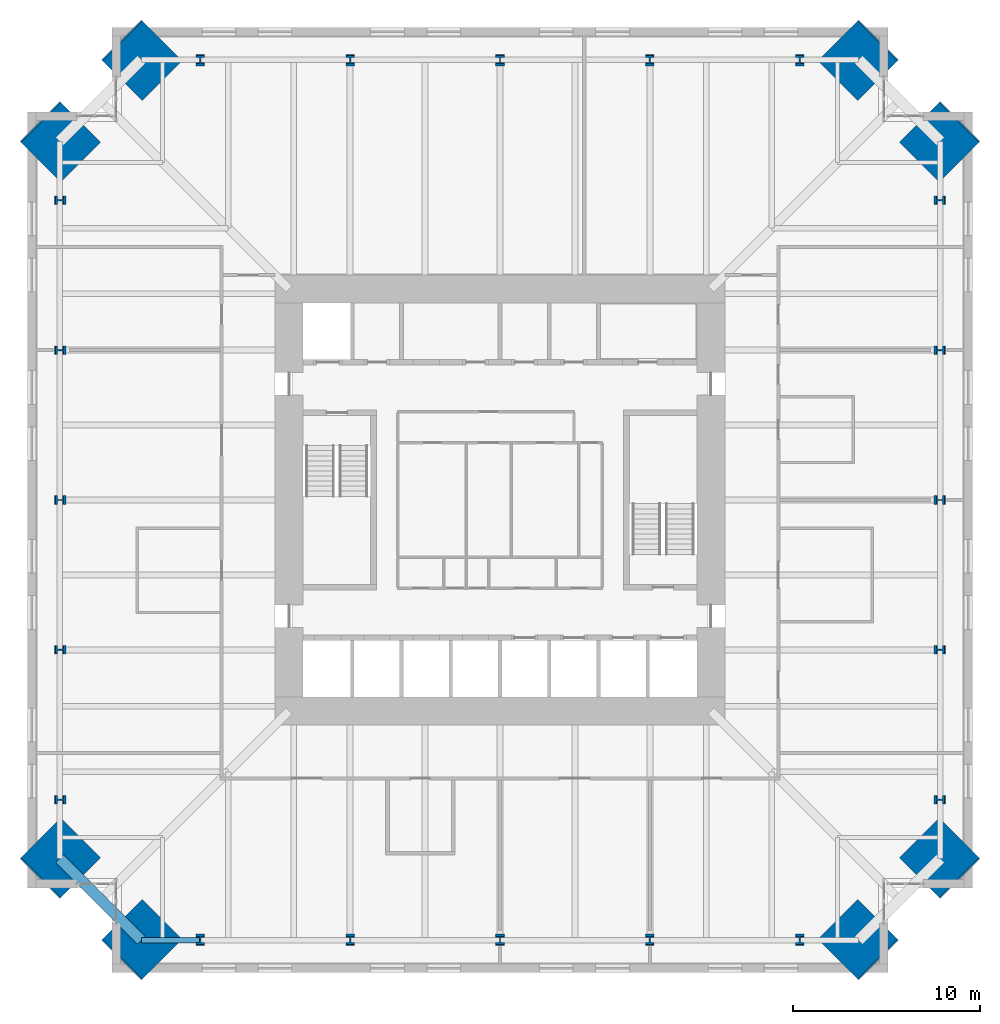
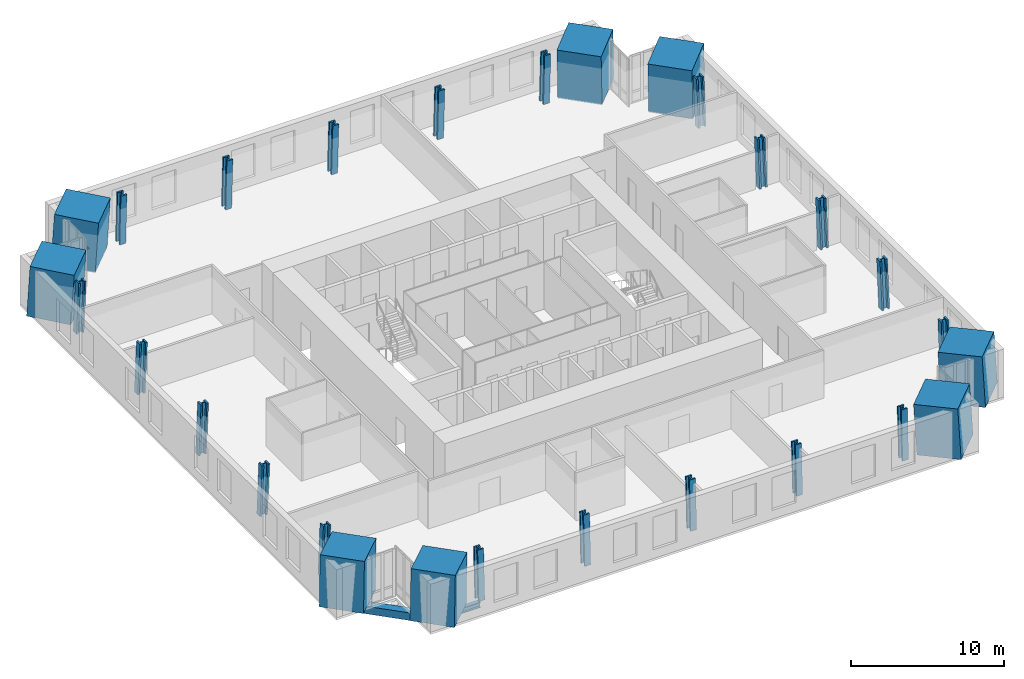
# One storey, part 1 of 15: 28 columns, 2 beams.
"""IFC4 building model written with IfcOpenShell, lengths in metres."""

import ifcopenshell
import ifcopenshell.guid

model = None  # the IFC model being written
_history = None  # IfcOwnerHistory: only IFC2X3 demands one
_inside = {}  # id of a spatial element -> (the spatial element, [elements in it])
_under = {}  # id of a project, library or spatial element -> (it, [spatial elements below it])
_declared = {}  # id of a project -> (the project, [libraries it declares])
_typed = {}  # id of a type object -> (the type object, [elements of that type])
_made_of = {}  # id of a material, layer set ... -> (it, [elements and type objects made of it])


def new_model(schema):
    """Start an empty IFC model of exactly this schema.

    Asked for "IFC4X3", IfcOpenShell would pick the latest addendum, in which some entities
    have other attributes; the version numbers below select the first issue.
    IFC2X3 requires an IfcOwnerHistory on every rooted entity: one is made here for all.
    """
    global model, _history
    if schema == "IFC4X3":
        model = ifcopenshell.file(schema_version=(4, 3, 0, 0))
    else:
        model = ifcopenshell.file(schema=schema)
    _inside.clear()
    _under.clear()
    _declared.clear()
    _typed.clear()
    _made_of.clear()
    _history = None
    if model.schema == "IFC2X3":
        org = make("IfcOrganization", Name="unknown")
        user = make(
            "IfcPersonAndOrganization",
            ThePerson=make("IfcPerson", FamilyName="unknown"),
            TheOrganization=org,
        )
        app = make(
            "IfcApplication",
            ApplicationDeveloper=org,
            Version="unknown",
            ApplicationFullName="unknown",
            ApplicationIdentifier="unknown",
        )
        _history = make(
            "IfcOwnerHistory",
            OwningUser=user,
            OwningApplication=app,
            ChangeAction="ADDED",
            CreationDate=0,
        )
    return model


def make(cls, **values):
    """One entity of the class cls with the attributes given. An attribute that is None is left unset."""
    return model.create_entity(
        cls, **{name: value for name, value in values.items() if value is not None}
    )


def rooted(cls, **values):
    """An entity with a GlobalId (a new one), such as an element, a storey or a relation."""
    return make(cls, GlobalId=ifcopenshell.guid.new(), OwnerHistory=_history, **values)


def si_unit(unit_type, name, prefix=None):
    """IfcSIUnit, for example si_unit("LENGTHUNIT", "METRE", prefix="MILLI")."""
    return make("IfcSIUnit", UnitType=unit_type, Prefix=prefix, Name=name)


def assignment(units):
    """IfcUnitAssignment: the units of a project."""
    return None if units is None else make("IfcUnitAssignment", Units=units)


def point(xyz):
    """IfcCartesianPoint."""
    return None if xyz is None else make("IfcCartesianPoint", Coordinates=xyz)


def direction(xyz):
    """IfcDirection."""
    return None if xyz is None else make("IfcDirection", DirectionRatios=xyz)


def frame(location, z_axis=None, x_axis=None):
    """IfcAxis2Placement3D, a coordinate frame: its origin and axes. An axis left out is left unset."""
    return make(
        "IfcAxis2Placement3D",
        Location=point(location),
        Axis=direction(z_axis),
        RefDirection=direction(x_axis),
    )


def frame_2d(location, x_axis=None):
    """IfcAxis2Placement2D, a coordinate frame in the plane: its origin and x axis."""
    return make(
        "IfcAxis2Placement2D", Location=point(location), RefDirection=direction(x_axis)
    )


def origin():
    """The frame at (0, 0, 0) with its axes left unset."""
    return frame((0.0, 0.0, 0.0))


def origin_2d():
    """The frame at (0, 0) in the plane with its x axis left unset."""
    return frame_2d((0.0, 0.0))


def place(relative_to, where):
    """IfcLocalPlacement: puts the frame where relative to a parent placement (None: the world)."""
    return make(
        "IfcLocalPlacement", PlacementRelTo=relative_to, RelativePlacement=where
    )


def context(
    kind, dimensions, precision=None, world=None, true_north=None, identifier=None
):
    """IfcGeometricRepresentationContext, for example the 3D "Model" context."""
    return make(
        "IfcGeometricRepresentationContext",
        ContextIdentifier=identifier,
        ContextType=kind,
        CoordinateSpaceDimension=dimensions,
        Precision=precision,
        WorldCoordinateSystem=world,
        TrueNorth=true_north,
    )


def subcontext(parent, identifier, kind, view, scale=None):
    """IfcGeometricRepresentationSubContext, for example "Body" below "Model"."""
    return make(
        "IfcGeometricRepresentationSubContext",
        ContextIdentifier=identifier,
        ContextType=kind,
        ParentContext=parent,
        TargetScale=scale,
        TargetView=view,
    )


def project(units=None, contexts=None):
    """IfcProject with its units and contexts."""
    return rooted(
        "IfcProject",
        Name="project",
        RepresentationContexts=contexts,
        UnitsInContext=assignment(units),
    )


def spatial(cls, under=None, at=None, **own):
    """A site, building, storey or space (cls), placed at a placement, below another one or the project."""
    s = rooted(cls, ObjectPlacement=at, **own)
    if under is not None:
        _under.setdefault(under.id(), (under, []))[1].append(s)
    return s


def profile(cls, at=None, kind="AREA", **sizes):
    """A parametric profile (cls). Its sizes go by their IFC names, for example OverallWidth=200.0."""
    return make(cls, ProfileType=kind, Position=at, **sizes)


def rectangle(**sizes):
    """IfcRectangleProfileDef."""
    return profile("IfcRectangleProfileDef", **sizes)


def hollow_rectangle(**sizes):
    """IfcRectangleHollowProfileDef."""
    return profile("IfcRectangleHollowProfileDef", **sizes)


def i_section(**sizes):
    """IfcIShapeProfileDef."""
    return profile("IfcIShapeProfileDef", **sizes)


def extrude(swept, where, along, depth):
    """IfcExtrudedAreaSolid: the profile swept, set in the frame where, extruded along a direction by depth."""
    return make(
        "IfcExtrudedAreaSolid",
        SweptArea=swept,
        Position=where,
        ExtrudedDirection=direction(along),
        Depth=depth,
    )


def shape(context_of_items, identifier, shape_type, items):
    """IfcShapeRepresentation: the items that make up one representation, for example the "Body"."""
    return make(
        "IfcShapeRepresentation",
        ContextOfItems=context_of_items,
        RepresentationIdentifier=identifier,
        RepresentationType=shape_type,
        Items=items,
    )


def material(Name=None, Category=None):
    """IfcMaterial."""
    return make("IfcMaterial", Name=Name, Category=Category)


def material_profile(
    of_material, cross_section, Name=None, Category=None, Priority=None
):
    """IfcMaterialProfile: a cross section and its material."""
    return make(
        "IfcMaterialProfile",
        Name=Name,
        Material=of_material,
        Profile=cross_section,
        Priority=Priority,
        Category=Category,
    )


def profile_set(profiles, Name=None, composite=None):
    """IfcMaterialProfileSet."""
    return make(
        "IfcMaterialProfileSet",
        Name=Name,
        MaterialProfiles=profiles,
        CompositeProfile=composite,
    )


def made_of(thing, what):
    """Note that an element or type object is made of a material, layer set ...; save() writes the relation."""
    if what is not None:
        _made_of.setdefault(what.id(), (what, []))[1].append(thing)
    return thing


def type_object(cls, material=None, **own):
    """A type object (cls), such as IfcWallType, which elements share."""
    return made_of(rooted(cls, **own), material)


def element(
    cls,
    number,
    at=None,
    inside=None,
    cuts=None,
    type_object=None,
    material=None,
    context=None,
    identifier="Body",
    shape_type=None,
    held_by="IfcProductDefinitionShape",
    body=None,
    shapes=None,
    **own,
):
    """One element of the class cls, such as IfcWall. Its Tag is "e" and its number.

    at: its placement. inside: the storey or other place that contains it. cuts: it is an
    opening in that element (IfcRelVoidsElement). A single representation is given by context,
    identifier, shape_type and body (its items); several are given by shapes. held_by: the class
    of the entity that holds the representations. save() writes the other relations.
    """
    e = rooted(cls, Tag="e%d" % number, ObjectPlacement=at, **own)
    if body is not None:
        shapes = [shape(context, identifier, shape_type, body)]
    if shapes is not None:
        e.Representation = make(held_by, Representations=shapes)
    if inside is not None:
        _inside.setdefault(inside.id(), (inside, []))[1].append(e)
    if cuts is not None:
        rooted(
            "IfcRelVoidsElement", RelatingBuildingElement=cuts, RelatedOpeningElement=e
        )
    if type_object is not None:
        _typed.setdefault(type_object.id(), (type_object, []))[1].append(e)
    return made_of(e, material)


def aggregate(whole, parts):
    """IfcRelAggregates: a whole, such as a stair, and the parts it consists of."""
    return rooted("IfcRelAggregates", RelatingObject=whole, RelatedObjects=parts)


def save(model, path):
    """Write the relations noted so far, then the file.

    IfcRelAggregates (storeys below a building ...), IfcRelContainedInSpatialStructure (elements
    in a storey), IfcRelDefinesByType, IfcRelAssociatesMaterial and IfcRelDeclares: one each for
    every whole, place, type object, material and project.
    """
    for whole, parts in _under.values():
        aggregate(whole, parts)
    for where, things in _inside.values():
        rooted(
            "IfcRelContainedInSpatialStructure",
            RelatedElements=things,
            RelatingStructure=where,
        )
    for kind, things in _typed.values():
        rooted("IfcRelDefinesByType", RelatedObjects=things, RelatingType=kind)
    for what, things in _made_of.values():
        rooted("IfcRelAssociatesMaterial", RelatedObjects=things, RelatingMaterial=what)
    for by, libraries in _declared.values():
        rooted("IfcRelDeclares", RelatingContext=by, RelatedDefinitions=libraries)
    model.write(path)


model = new_model("IFC4")

# Units and contexts
model_context = context("Model", 3, precision=1e-05, world=origin(), true_north=direction((0.0, 1.0)))
body_context = subcontext(model_context, "Body", "Model", "MODEL_VIEW")
ifc_project = project(units=[si_unit("LENGTHUNIT", "METRE"), si_unit("AREAUNIT", "SQUARE_METRE"), si_unit("VOLUMEUNIT", "CUBIC_METRE"), si_unit("PLANEANGLEUNIT", "RADIAN"), si_unit("MASSUNIT", "GRAM", prefix="KILO")], contexts=[model_context])

# Site, building, storey
site_placement = place(None, origin())
site = spatial("IfcSite", under=ifc_project, at=site_placement, CompositionType="ELEMENT")
building_placement = place(site_placement, origin())
building = spatial("IfcBuilding", under=site, at=building_placement, Name="Peilmerk Tower", CompositionType="ELEMENT")
storey_placement = place(building_placement, frame((0.0, 0.0, 183.800048828125)))
storey = spatial("IfcBuildingStorey", under=building, at=storey_placement, Name="L39", CompositionType="ELEMENT", Elevation=183.800048828125)

# Columns
ifc_material_1 = material(Name="Concrete C90/105", Category="concrete")
ifc_material_profile_1 = material_profile(ifc_material_1, rectangle(XDim=3.0, YDim=3.0, at=origin_2d()), Name="RC 3000x3000")
ifc_profile_set_1 = profile_set([ifc_material_profile_1], Name="Concrete C90/105")
column_type_1 = type_object("IfcColumnType", Name="MC2 3000x3000 encased mega column", PredefinedType="COLUMN", material=ifc_profile_set_1)
for number, where, z_axis, x_axis, name in (
    (1, (19.135498046875, 23.485595703125, 0.0), (-0.040278731567, -0.040278731567, 0.998376305592), (0.707106781187, -0.707106781187, 0.0), "Mega column MC2 NE_N L39"),
    (2, (23.485595703125, 19.135498046875, 0.0), (-0.040278731567, -0.040278731567, 0.998376305592), (0.707106781187, -0.707106781187, 0.0), "Mega column MC2 NE_E L39"),
    (3, (23.485595703125, -19.135498046875, 0.0), (-0.040278731567, 0.040278731567, 0.998376305592), (-0.707106781187, -0.707106781187, 0.0), "Mega column MC2 SE_E L39"),
    (4, (19.135498046875, -23.485595703125, 0.0), (-0.040278731567, 0.040278731567, 0.998376305592), (-0.707106781187, -0.707106781187, 0.0), "Mega column MC2 SE_S L39"),
    (5, (-19.135498046875, -23.485595703125, 0.0), (0.040278731567, 0.040278731567, 0.998376305592), (-0.707106781187, 0.707106781187, 0.0), "Mega column MC2 SW_S L39"),
    (6, (-23.485595703125, -19.135498046875, 0.0), (0.040278731567, 0.040278731567, 0.998376305592), (-0.707106781187, 0.707106781187, 0.0), "Mega column MC2 SW_W L39"),
    (7, (-23.485595703125, 19.135498046875, 0.0), (0.040278731567, -0.040278731567, 0.998376305592), (0.707106781187, 0.707106781187, 0.0), "Mega column MC2 NW_W L39"),
    (8, (-19.135498046875, 23.485595703125, 0.0), (0.040278731567, -0.040278731567, 0.998376305592), (0.707106781187, 0.707106781187, 0.0), "Mega column MC2 NW_N L39"),
):
    element("IfcColumn", number, at=place(storey_placement, frame(where, z_axis=z_axis, x_axis=x_axis)), inside=storey, type_object=column_type_1, Name=name, PredefinedType="COLUMN", context=body_context, shape_type="SweptSolid", body=[
        extrude(rectangle(XDim=3.0, YDim=3.0, at=origin_2d()), origin(), (0.0, 0.0, 1.0), 4.006591796875),
    ])
ifc_material_2 = material(Name="Steel S460", Category="steel")
ifc_material_profile_2 = material_profile(ifc_material_2, i_section(OverallWidth=0.4541015625, OverallDepth=0.569091796875, WebThickness=0.077880859375, FlangeThickness=0.125, at=origin_2d()), Name="HD 400x1086")
ifc_profile_set_2 = profile_set([ifc_material_profile_2], Name="Steel S460")
column_type_2 = type_object("IfcColumnType", Name="SC6 HD 400x1086 interior column", PredefinedType="COLUMN", material=ifc_profile_set_2)
for number, where, z_axis, x_axis, name in (
    (9, (0.0, 23.485595703125, 0.0), (0.0, -0.040311445006, 0.999187163349), (1.0, 0.0, 0.0), "Perimeter column N+0 L39"),
    (10, (8.0, 23.485595703125, 0.0), (0.0, -0.040311445006, 0.999187163349), (1.0, 0.0, 0.0), "Perimeter column N-8 L39"),
    (11, (-8.0, 23.485595703125, 0.0), (0.0, -0.040311445006, 0.999187163349), (1.0, 0.0, 0.0), "Perimeter column N+8 L39"),
    (12, (16.0, 23.485595703125, 0.0), (0.0, -0.040311445006, 0.999187163349), (1.0, 0.0, 0.0), "Perimeter column N-16 L39"),
    (13, (-16.0, 23.485595703125, 0.0), (0.0, -0.040311445006, 0.999187163349), (1.0, 0.0, 0.0), "Perimeter column N+16 L39"),
    (14, (23.485595703125, 0.0, 0.0), (-0.040311445006, 0.0, 0.999187163349), (0.0, -1.0, 0.0), "Perimeter column E+0 L39"),
    (15, (23.485595703125, -8.0, 0.0), (-0.040311445006, 0.0, 0.999187163349), (0.0, -1.0, 0.0), "Perimeter column E-8 L39"),
    (16, (23.485595703125, 8.0, 0.0), (-0.040311445006, 0.0, 0.999187163349), (0.0, -1.0, 0.0), "Perimeter column E+8 L39"),
    (17, (23.485595703125, -16.0, 0.0), (-0.040311445006, 0.0, 0.999187163349), (0.0, -1.0, 0.0), "Perimeter column E-16 L39"),
    (18, (23.485595703125, 16.0, 0.0), (-0.040311445006, 0.0, 0.999187163349), (0.0, -1.0, 0.0), "Perimeter column E+16 L39"),
    (19, (0.0, -23.485595703125, 0.0), (0.0, 0.040311445006, 0.999187163349), (-1.0, 0.0, 0.0), "Perimeter column S+0 L39"),
    (20, (-8.0, -23.485595703125, 0.0), (0.0, 0.040311445006, 0.999187163349), (-1.0, 0.0, 0.0), "Perimeter column S-8 L39"),
    (21, (8.0, -23.485595703125, 0.0), (0.0, 0.040311445006, 0.999187163349), (-1.0, 0.0, 0.0), "Perimeter column S+8 L39"),
    (22, (-16.0, -23.485595703125, 0.0), (0.0, 0.040311445006, 0.999187163349), (-1.0, 0.0, 0.0), "Perimeter column S-16 L39"),
    (23, (16.0, -23.485595703125, 0.0), (0.0, 0.040311445006, 0.999187163349), (-1.0, 0.0, 0.0), "Perimeter column S+16 L39"),
    (24, (-23.485595703125, 0.0, 0.0), (0.040311445006, 0.0, 0.999187163349), (0.0, 1.0, 0.0), "Perimeter column W+0 L39"),
    (25, (-23.485595703125, 8.0, 0.0), (0.040311445006, 0.0, 0.999187163349), (0.0, 1.0, 0.0), "Perimeter column W-8 L39"),
    (26, (-23.485595703125, -8.0, 0.0), (0.040311445006, 0.0, 0.999187163349), (0.0, 1.0, 0.0), "Perimeter column W+8 L39"),
    (27, (-23.485595703125, 16.0, 0.0), (0.040311445006, 0.0, 0.999187163349), (0.0, 1.0, 0.0), "Perimeter column W-16 L39"),
    (28, (-23.485595703125, -16.0, 0.0), (0.040311445006, 0.0, 0.999187163349), (0.0, 1.0, 0.0), "Perimeter column W+16 L39"),
):
    element("IfcColumn", number, at=place(storey_placement, frame(where, z_axis=z_axis, x_axis=x_axis)), inside=storey, type_object=column_type_2, Name=name, PredefinedType="COLUMN", context=body_context, shape_type="SweptSolid", body=[
        extrude(i_section(OverallWidth=0.4541015625, OverallDepth=0.569091796875, WebThickness=0.077880859375, FlangeThickness=0.125, at=origin_2d()), origin(), (0.0, 0.0, 1.0), 4.003173828125),
    ])

# Beams
ifc_material_profile_3 = material_profile(ifc_material_2, hollow_rectangle(XDim=0.60009765625, YDim=0.60009765625, WallThickness=0.06005859375, at=origin_2d()), Name="BOX 600x600x60")
ifc_profile_set_3 = profile_set([ifc_material_profile_3], Name="Steel S460")
beam_type_1 = type_object("IfcBeamType", Name="B20 BOX 600x600x60 notch beam", PredefinedType="SPANDREL", material=ifc_profile_set_3)
beam_1_placement = place(storey_placement, frame((-19.135498046875, -23.485595703125, -0.469970703125), z_axis=(-0.707106781187, 0.707106781187, 0.0), x_axis=(-0.707106781187, -0.707106781187, 0.0)))
element("IfcBeam", 29, at=beam_1_placement, inside=storey, type_object=beam_type_1, Name="Notch beam L39", PredefinedType="SPANDREL", context=body_context, shape_type="SweptSolid", body=[
    extrude(hollow_rectangle(XDim=0.60009765625, YDim=0.60009765625, WallThickness=0.06005859375, at=origin_2d()), origin(), (0.0, 0.0, 1.0), 6.15185546875),
])
ifc_material_3 = material(Name="Steel S355", Category="steel")
ifc_material_profile_4 = material_profile(ifc_material_3, i_section(OverallWidth=0.306884765625, OverallDepth=0.431884765625, WebThickness=0.02099609375, FlangeThickness=0.0400390625, at=origin_2d()), Name="HEM 400")
ifc_profile_set_4 = profile_set([ifc_material_profile_4], Name="Steel S355")
beam_type_2 = type_object("IfcBeamType", Name="B34 HEM 400 edge beam", PredefinedType="SPANDREL", material=ifc_profile_set_4)
beam_2_placement = place(storey_placement, frame((-19.135498046875, -23.485595703125, -0.385986328125), z_axis=(1.0, 0.0, 0.0), x_axis=(0.0, 1.0, 0.0)))
element("IfcBeam", 30, at=beam_2_placement, inside=storey, type_object=beam_type_2, Name="Edge beam L39", PredefinedType="SPANDREL", context=body_context, shape_type="SweptSolid", body=[
    extrude(i_section(OverallWidth=0.306884765625, OverallDepth=0.431884765625, WebThickness=0.02099609375, FlangeThickness=0.0400390625, at=origin_2d()), origin(), (0.0, 0.0, 1.0), 3.135498046875),
])

save(model, "model.ifc")
